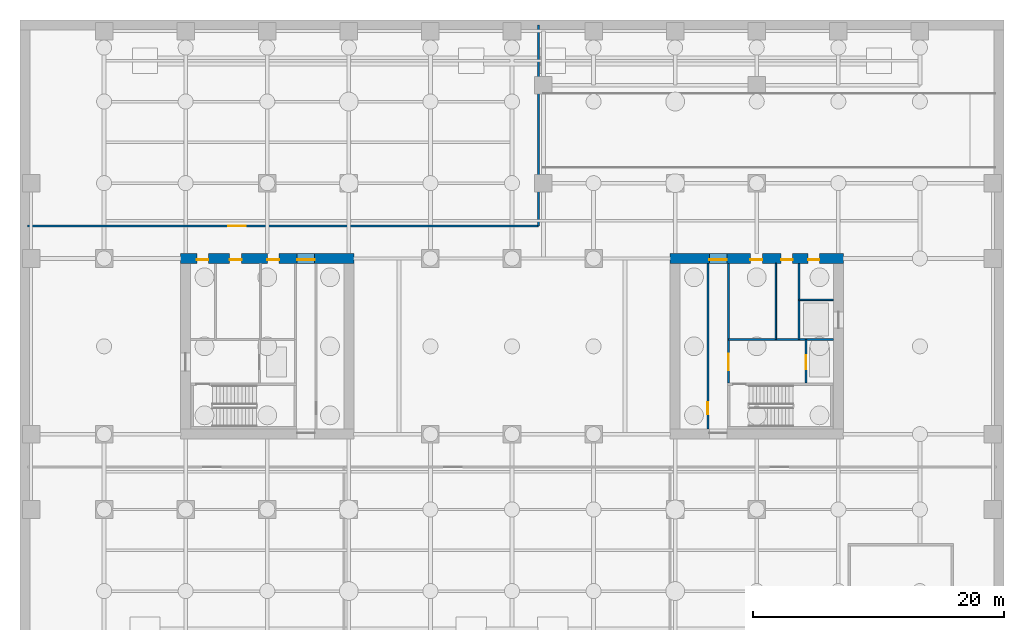
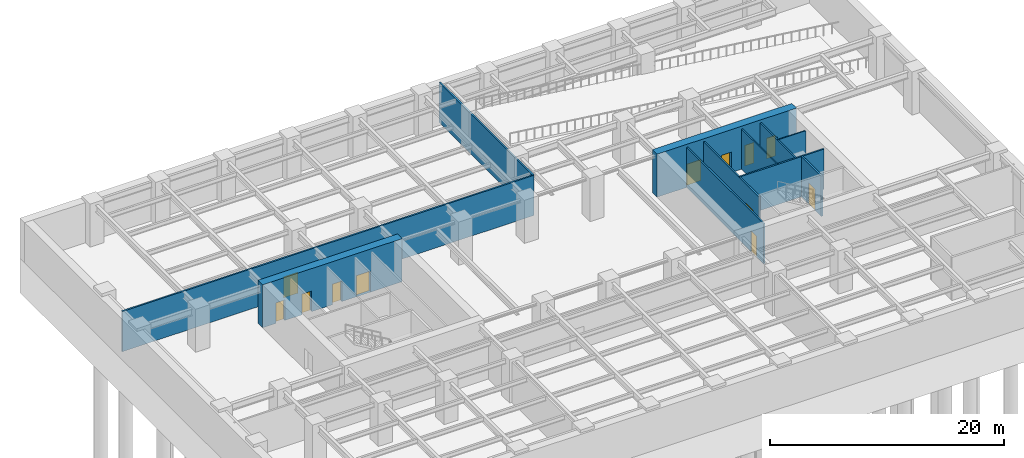
# One storey, part 6 of 11: 12 doors, 11 walls, 12 openings.
"""IFC4 building model written with IfcOpenShell, lengths in metres."""

from ifc_helpers import new_model, si_unit, direction, frame, frame_2d, origin, place, context, subcontext, project, spatial, rectangle, extrude, material, layer, layer_set, type_object, element, fill, save


model = new_model("IFC4")

# Units and contexts
model_context = context("Model", 3, precision=1e-05, world=origin(), true_north=direction((0.0, 1.0)))
body_context = subcontext(model_context, "Body", "Model", "MODEL_VIEW")
ifc_project = project(units=[si_unit("LENGTHUNIT", "METRE"), si_unit("AREAUNIT", "SQUARE_METRE"), si_unit("VOLUMEUNIT", "CUBIC_METRE"), si_unit("PLANEANGLEUNIT", "RADIAN"), si_unit("MASSUNIT", "GRAM", prefix="KILO")], contexts=[model_context])

# Site, building, storey
site_placement = place(None, origin())
site = spatial("IfcSite", under=ifc_project, at=site_placement, CompositionType="ELEMENT")
building_placement = place(site_placement, origin())
building = spatial("IfcBuilding", under=site, at=building_placement, Name="Putna Gate Headquarters", CompositionType="ELEMENT")
storey_placement = place(building_placement, frame((0.0, 0.0, -13.5)))
storey = spatial("IfcBuildingStorey", under=building, at=storey_placement, Name="B03", CompositionType="ELEMENT", Elevation=-13.5)

# Wall, openings, doors
ifc_material_1 = material(Name="Concrete C60/75", Category="concrete")
ifc_layer_1 = layer(ifc_material_1, 0.800048828125)
ifc_layer_set_1 = layer_set([ifc_layer_1], Name="Concrete C60/75")
wall_type_1 = type_object("IfcWallType", Name="WALL-CORE-800", PredefinedType="SHEAR", material=ifc_layer_set_1)
wall_1_placement = place(storey_placement, frame((12.60009765625, 33.0, 0.0), z_axis=(0.0, 0.0, 1.0), x_axis=(1.0, 0.0, 0.0)))
wall_1 = element("IfcWall", 1, at=wall_1_placement, inside=storey, type_object=wall_type_1, Name="B03 WC Split Core Shear Wall N", PredefinedType="SHEAR", context=body_context, shape_type="SweptSolid", body=[
    extrude(rectangle(XDim=13.7998046875, YDim=0.800048828125, at=frame_2d((6.89990234375, 0.0))), origin(), (0.0, 0.0, 1.0), 4.5),
])
opening_1_placement = place(wall_1_placement, frame((1.300048828125, 0.0, 0.0)))
opening_1 = element("IfcOpeningElement", 2, at=opening_1_placement, cuts=wall_1, Name="Opening RD-90", PredefinedType="OPENING", context=body_context, shape_type="SweptSolid", body=[
    extrude(rectangle(XDim=0.89990234375, YDim=2.14990234375, at=frame_2d((0.449951171875, 1.074951171875))), frame((0.0, 0.409912109375, 0.0), z_axis=(0.0, -1.0, 0.0), x_axis=(1.0, 0.0, 0.0)), (0.0, 0.0, 1.0), 0.820068359375),
])
opening_2_placement = place(wall_1_placement, frame((3.89990234375, 0.0, 0.0)))
opening_2 = element("IfcOpeningElement", 3, at=opening_2_placement, cuts=wall_1, Name="Opening IDS-95", PredefinedType="OPENING", context=body_context, shape_type="SweptSolid", body=[
    extrude(rectangle(XDim=0.949951171875, YDim=2.14990234375, at=frame_2d((0.47509765625, 1.074951171875))), frame((0.0, 0.409912109375, 0.0), z_axis=(0.0, -1.0, 0.0), x_axis=(1.0, 0.0, 0.0)), (0.0, 0.0, 1.0), 0.820068359375),
])
opening_3_placement = place(wall_1_placement, frame((6.89990234375, 0.0, 0.0)))
opening_3 = element("IfcOpeningElement", 4, at=opening_3_placement, cuts=wall_1, Name="Opening IDS-95", PredefinedType="OPENING", context=body_context, shape_type="SweptSolid", body=[
    extrude(rectangle(XDim=0.949951171875, YDim=2.14990234375, at=frame_2d((0.47509765625, 1.074951171875))), frame((0.0, 0.409912109375, 0.0), z_axis=(0.0, -1.0, 0.0), x_axis=(1.0, 0.0, 0.0)), (0.0, 0.0, 1.0), 0.820068359375),
])
opening_4_placement = place(wall_1_placement, frame((9.280029296875, 0.0, 0.0)))
opening_4 = element("IfcOpeningElement", 5, at=opening_4_placement, cuts=wall_1, Name="Opening FDD-140", PredefinedType="OPENING", context=body_context, shape_type="SweptSolid", body=[
    extrude(rectangle(XDim=1.39990234375, YDim=2.199951171875, at=frame_2d((0.699951171875, 1.10009765625))), frame((0.0, 0.409912109375, 0.0), z_axis=(0.0, -1.0, 0.0), x_axis=(1.0, 0.0, 0.0)), (0.0, 0.0, 1.0), 0.820068359375),
])
ifc_material_2 = material(Name="Double steel fire door", Category="steel")
door_type_1 = type_object("IfcDoorType", Name="DOOR-FIRE-DBL-1400", OperationType="DOUBLE_DOOR_SINGLE_SWING", PredefinedType="DOOR", material=ifc_material_2)
door_1_placement = place(opening_4_placement, origin())
door_1 = element("IfcDoor", 6, at=door_1_placement, inside=storey, type_object=door_type_1, Name="B03 West Lift Lobby North Door", OperationType="DOUBLE_DOOR_SINGLE_SWING", OverallHeight=2.199951171875, OverallWidth=1.39990234375, PredefinedType="DOOR", context=body_context, shape_type="SweptSolid", body=[
    extrude(rectangle(XDim=1.39990234375, YDim=2.199951171875, at=frame_2d((0.699951171875, 1.10009765625))), frame((0.0, -0.0751953125, 0.0), z_axis=(0.0, -1.0, 0.0), x_axis=(1.0, 0.0, 0.0)), (0.0, 0.0, 1.0), 0.050048828125),
])
fill(opening_4, door_1)
ifc_material_3 = material(Name="Fire-rated service timber door", Category="wood")
door_type_2 = type_object("IfcDoorType", Name="DOOR-INT-950", OperationType="NOTDEFINED", PredefinedType="DOOR", material=ifc_material_3)
door_2_placement = place(opening_2_placement, origin())
door_2 = element("IfcDoor", 7, at=door_2_placement, inside=storey, type_object=door_type_2, Name="B03 Cleaner Store Door", OperationType="SINGLE_SWING_LEFT", OverallHeight=2.14990234375, OverallWidth=0.949951171875, PredefinedType="DOOR", context=body_context, shape_type="SweptSolid", body=[
    extrude(rectangle(XDim=0.949951171875, YDim=2.14990234375, at=frame_2d((0.47509765625, 1.074951171875))), frame((0.0, -0.0751953125, 0.0), z_axis=(0.0, -1.0, 0.0), x_axis=(1.0, 0.0, 0.0)), (0.0, 0.0, 1.0), 0.050048828125),
])
fill(opening_2, door_2)
door_3_placement = place(opening_3_placement, origin())
door_3 = element("IfcDoor", 8, at=door_3_placement, inside=storey, type_object=door_type_2, Name="B03 Comms Plant Door", OperationType="SINGLE_SWING_RIGHT", OverallHeight=2.14990234375, OverallWidth=0.949951171875, PredefinedType="DOOR", context=body_context, shape_type="SweptSolid", body=[
    extrude(rectangle(XDim=0.949951171875, YDim=2.14990234375, at=frame_2d((0.47509765625, 1.074951171875))), frame((0.0, -0.0751953125, 0.0), z_axis=(0.0, -1.0, 0.0), x_axis=(1.0, 0.0, 0.0)), (0.0, 0.0, 1.0), 0.050048828125),
])
fill(opening_3, door_3)
ifc_material_4 = material(Name="Steel riser access fire door", Category="steel")
door_type_3 = type_object("IfcDoorType", Name="DOOR-RISER-900", OperationType="NOTDEFINED", PredefinedType="DOOR", material=ifc_material_4)
door_4_placement = place(opening_1_placement, origin())
door_4 = element("IfcDoor", 9, at=door_4_placement, inside=storey, type_object=door_type_3, Name="B03 West Riser Access Door", OperationType="SINGLE_SWING_RIGHT", OverallHeight=2.14990234375, OverallWidth=0.89990234375, PredefinedType="DOOR", context=body_context, shape_type="SweptSolid", body=[
    extrude(rectangle(XDim=0.89990234375, YDim=2.14990234375, at=frame_2d((0.449951171875, 1.074951171875))), frame((0.0, -0.0751953125, 0.0), z_axis=(0.0, -1.0, 0.0), x_axis=(1.0, 0.0, 0.0)), (0.0, 0.0, 1.0), 0.050048828125),
])
fill(opening_1, door_4)

wall_2_placement = place(storey_placement, frame((51.60009765625, 33.0, 0.0), z_axis=(0.0, 0.0, 1.0), x_axis=(1.0, 0.0, 0.0)))
wall_2 = element("IfcWall", 10, at=wall_2_placement, inside=storey, type_object=wall_type_1, Name="B03 EC Split Core Shear Wall N", PredefinedType="SHEAR", context=body_context, shape_type="SweptSolid", body=[
    extrude(rectangle(XDim=13.7998046875, YDim=0.800048828125, at=frame_2d((6.89990234375, 0.0))), origin(), (0.0, 0.0, 1.0), 4.5),
])
opening_5_placement = place(wall_2_placement, frame((3.1201171875, 0.0, 0.0)))
opening_5 = element("IfcOpeningElement", 11, at=opening_5_placement, cuts=wall_2, Name="Opening FDD-140", PredefinedType="OPENING", context=body_context, shape_type="SweptSolid", body=[
    extrude(rectangle(XDim=1.39990234375, YDim=2.199951171875, at=frame_2d((0.699951171875, 1.10009765625))), frame((0.0, 0.409912109375, 0.0), z_axis=(0.0, -1.0, 0.0), x_axis=(1.0, 0.0, 0.0)), (0.0, 0.0, 1.0), 0.820068359375),
])
opening_6_placement = place(wall_2_placement, frame((11.0, 0.0, 0.0)))
opening_6 = element("IfcOpeningElement", 12, at=opening_6_placement, cuts=wall_2, Name="Opening RD-90", PredefinedType="OPENING", context=body_context, shape_type="SweptSolid", body=[
    extrude(rectangle(XDim=0.89990234375, YDim=2.14990234375, at=frame_2d((0.449951171875, 1.074951171875))), frame((0.0, 0.409912109375, 0.0), z_axis=(0.0, -1.0, 0.0), x_axis=(1.0, 0.0, 0.0)), (0.0, 0.0, 1.0), 0.820068359375),
])
opening_7_placement = place(wall_2_placement, frame((6.39990234375, 0.0, 0.0)))
opening_7 = element("IfcOpeningElement", 13, at=opening_7_placement, cuts=wall_2, Name="Opening IDS-95", PredefinedType="OPENING", context=body_context, shape_type="SweptSolid", body=[
    extrude(rectangle(XDim=0.949951171875, YDim=2.14990234375, at=frame_2d((0.47509765625, 1.074951171875))), frame((0.0, 0.409912109375, 0.0), z_axis=(0.0, -1.0, 0.0), x_axis=(1.0, 0.0, 0.0)), (0.0, 0.0, 1.0), 0.820068359375),
])
opening_8_placement = place(wall_2_placement, frame((8.85009765625, 0.0, 0.0)))
opening_8 = element("IfcOpeningElement", 14, at=opening_8_placement, cuts=wall_2, Name="Opening IDS-90", PredefinedType="OPENING", context=body_context, shape_type="SweptSolid", body=[
    extrude(rectangle(XDim=0.89990234375, YDim=2.14990234375, at=frame_2d((0.449951171875, 1.074951171875))), frame((0.0, 0.409912109375, 0.0), z_axis=(0.0, -1.0, 0.0), x_axis=(1.0, 0.0, 0.0)), (0.0, 0.0, 1.0), 0.820068359375),
])
door_5_placement = place(opening_5_placement, origin())
door_5 = element("IfcDoor", 15, at=door_5_placement, inside=storey, type_object=door_type_1, Name="B03 East Lift Lobby North Door", OperationType="DOUBLE_DOOR_SINGLE_SWING", OverallHeight=2.199951171875, OverallWidth=1.39990234375, PredefinedType="DOOR", context=body_context, shape_type="SweptSolid", body=[
    extrude(rectangle(XDim=1.39990234375, YDim=2.199951171875, at=frame_2d((0.699951171875, 1.10009765625))), frame((0.0, -0.0751953125, 0.0), z_axis=(0.0, -1.0, 0.0), x_axis=(1.0, 0.0, 0.0)), (0.0, 0.0, 1.0), 0.050048828125),
])
fill(opening_5, door_5)
ifc_material_5 = material(Name="Fire-rated utility door")
door_type_4 = type_object("IfcDoorType", Name="DOOR-INT-900", OperationType="NOTDEFINED", PredefinedType="DOOR", material=ifc_material_5)
door_6_placement = place(opening_8_placement, origin())
door_6 = element("IfcDoor", 16, at=door_6_placement, inside=storey, type_object=door_type_4, Name="B03 Electrical Plant Door", OperationType="SINGLE_SWING_LEFT", OverallHeight=2.14990234375, OverallWidth=0.89990234375, PredefinedType="DOOR", context=body_context, shape_type="SweptSolid", body=[
    extrude(rectangle(XDim=0.89990234375, YDim=2.14990234375, at=frame_2d((0.449951171875, 1.074951171875))), frame((0.0, -0.0751953125, 0.0), z_axis=(0.0, -1.0, 0.0), x_axis=(1.0, 0.0, 0.0)), (0.0, 0.0, 1.0), 0.050048828125),
])
fill(opening_8, door_6)
door_7_placement = place(opening_7_placement, origin())
door_7 = element("IfcDoor", 17, at=door_7_placement, inside=storey, type_object=door_type_2, Name="B03 East Store Door", OperationType="SINGLE_SWING_RIGHT", OverallHeight=2.14990234375, OverallWidth=0.949951171875, PredefinedType="DOOR", context=body_context, shape_type="SweptSolid", body=[
    extrude(rectangle(XDim=0.949951171875, YDim=2.14990234375, at=frame_2d((0.47509765625, 1.074951171875))), frame((0.0, -0.0751953125, 0.0), z_axis=(0.0, -1.0, 0.0), x_axis=(1.0, 0.0, 0.0)), (0.0, 0.0, 1.0), 0.050048828125),
])
fill(opening_7, door_7)
door_8_placement = place(opening_6_placement, origin())
door_8 = element("IfcDoor", 18, at=door_8_placement, inside=storey, type_object=door_type_3, Name="B03 East Riser Access Door", OperationType="SINGLE_SWING_LEFT", OverallHeight=2.14990234375, OverallWidth=0.89990234375, PredefinedType="DOOR", context=body_context, shape_type="SweptSolid", body=[
    extrude(rectangle(XDim=0.89990234375, YDim=2.14990234375, at=frame_2d((0.449951171875, 1.074951171875))), frame((0.0, -0.0751953125, 0.0), z_axis=(0.0, -1.0, 0.0), x_axis=(1.0, 0.0, 0.0)), (0.0, 0.0, 1.0), 0.050048828125),
])
fill(opening_6, door_8)

# Walls
ifc_material_6 = material(Name="Fire-rated shaftwall gypsum board on metal stud")
ifc_layer_2 = layer(ifc_material_6, 0.1201171875)
ifc_layer_set_2 = layer_set([ifc_layer_2], Name="Fire-rated shaftwall gypsum board on metal stud")
wall_type_2 = type_object("IfcWallType", Name="WALL-PART-120-EI120", PredefinedType="PARTITIONING", material=ifc_layer_set_2)
wall_3_placement = place(storey_placement, frame((61.8701171875, 29.699951171875, 0.0), z_axis=(0.0, 0.0, 1.0), x_axis=(1.0, 0.0, 0.0)))
element("IfcWall", 19, at=wall_3_placement, inside=storey, type_object=wall_type_2, Name="B03 Interior Wall CWINT-B03-EC-LF15-N", PredefinedType="PARTITIONING", context=body_context, shape_type="SweptSolid", body=[
    extrude(rectangle(XDim=2.72998046875, YDim=0.1201171875, at=frame_2d((1.364990234375, 0.0))), origin(), (0.0, 0.0, 1.0), 4.199951171875),
])
ifc_material_7 = material(Name="Fire-rated gypsum board on metal stud")
ifc_layer_3 = layer(ifc_material_7, 0.1201171875)
ifc_layer_set_3 = layer_set([ifc_layer_3], Name="Fire-rated gypsum board on metal stud")
wall_type_3 = type_object("IfcWallType", Name="WALL-PART-120-RATED", PredefinedType="PARTITIONING", material=ifc_layer_set_3)
wall_4_placement = place(storey_placement, frame((60.02001953125, 26.56005859375, 0.0), z_axis=(0.0, 0.0, 1.0), x_axis=(0.0, 1.0, 0.0)))
element("IfcWall", 20, at=wall_4_placement, inside=storey, type_object=wall_type_3, Name="B03 Interior Wall CWINT-B03-EC-K0-DIV", PredefinedType="PARTITIONING", context=body_context, shape_type="SweptSolid", body=[
    extrude(rectangle(XDim=6.0400390625, YDim=0.1201171875, at=frame_2d((3.02001953125, 0.0))), origin(), (0.0, 0.0, 1.0), 4.199951171875),
])

# Wall, opening, door
ifc_material_8 = material(Name="Concrete C40/50", Category="concrete")
ifc_layer_4 = layer(ifc_material_8, 0.159912109375)
ifc_layer_set_4 = layer_set([ifc_layer_4], Name="Concrete C40/50")
wall_type_4 = type_object("IfcWallType", Name="WALL-SHAFT-160", PredefinedType="STANDARD", material=ifc_layer_set_4)
wall_5_placement = place(storey_placement, frame((54.60009765625, 19.39990234375, 0.0), z_axis=(0.0, 0.0, 1.0), x_axis=(0.0, 1.0, 0.0)))
wall_5 = element("IfcWall", 21, at=wall_5_placement, inside=storey, type_object=wall_type_4, Name="B03 Interior Wall CWINT-B03-EC-PL-WALL", PredefinedType="STANDARD", context=body_context, shape_type="SweptSolid", body=[
    extrude(rectangle(XDim=13.2001953125, YDim=0.159912109375, at=frame_2d((6.60009765625, 0.0))), origin(), (0.0, 0.0, 1.0), 4.199951171875),
])
opening_9_placement = place(wall_5_placement, frame((1.199951171875, 0.0, 0.0)))
opening_9 = element("IfcOpeningElement", 22, at=opening_9_placement, cuts=wall_5, Name="Opening IDS-95F", PredefinedType="OPENING", context=body_context, shape_type="SweptSolid", body=[
    extrude(rectangle(XDim=0.949951171875, YDim=2.14990234375, at=frame_2d((0.47509765625, 1.074951171875))), frame((0.0, 0.08984375, 0.0), z_axis=(0.0, -1.0, 0.0), x_axis=(1.0, 0.0, 0.0)), (0.0, 0.0, 1.0), 0.179931640625),
])
ifc_material_9 = material(Name="Steel-faced fire door", Category="steel")
door_type_5 = type_object("IfcDoorType", Name="DOOR-INT-950-EI90", OperationType="NOTDEFINED", PredefinedType="DOOR", material=ifc_material_9)
door_9_placement = place(opening_9_placement, origin())
door_9 = element("IfcDoor", 23, at=door_9_placement, inside=storey, type_object=door_type_5, Name="B03 Substructure Equipment East Door", OperationType="SINGLE_SWING_LEFT", OverallHeight=2.14990234375, OverallWidth=0.949951171875, PredefinedType="DOOR", context=body_context, shape_type="SweptSolid", body=[
    extrude(rectangle(XDim=0.949951171875, YDim=2.14990234375, at=frame_2d((0.47509765625, 1.074951171875))), frame((0.0, 0.02490234375, 0.0), z_axis=(0.0, -1.0, 0.0), x_axis=(1.0, 0.0, 0.0)), (0.0, 0.0, 1.0), 0.050048828125),
])
fill(opening_9, door_9)

wall_6_placement = place(storey_placement, frame((56.260009765625, 23.090087890625, 0.0), z_axis=(0.0, 0.0, 1.0), x_axis=(0.0, 1.0, 0.0)))
wall_6 = element("IfcWall", 24, at=wall_6_placement, inside=storey, type_object=wall_type_4, Name="B03 Interior Wall CWINT-B03-EC-LOB-E", PredefinedType="STANDARD", context=body_context, shape_type="SweptSolid", body=[
    extrude(rectangle(XDim=9.510009765625, YDim=0.159912109375, at=frame_2d((4.7548828125, 0.0))), origin(), (0.0, 0.0, 1.0), 4.199951171875),
])
opening_10_placement = place(wall_6_placement, frame((1.010009765625, 0.0, 0.0)))
opening_10 = element("IfcOpeningElement", 25, at=opening_10_placement, cuts=wall_6, Name="Opening FDD-130", PredefinedType="OPENING", context=body_context, shape_type="SweptSolid", body=[
    extrude(rectangle(XDim=1.300048828125, YDim=2.199951171875, at=frame_2d((0.64990234375, 1.10009765625))), frame((0.0, 0.08984375, 0.0), z_axis=(0.0, -1.0, 0.0), x_axis=(1.0, 0.0, 0.0)), (0.0, 0.0, 1.0), 0.179931640625),
])
ifc_material_10 = material(Name="Double steel lobby fire door", Category="steel")
door_type_6 = type_object("IfcDoorType", Name="DOOR-FIRE-DBL-1300", OperationType="DOUBLE_DOOR_SINGLE_SWING", PredefinedType="DOOR", material=ifc_material_10)
door_10_placement = place(opening_10_placement, origin())
door_10 = element("IfcDoor", 26, at=door_10_placement, inside=storey, type_object=door_type_6, Name="B03 East Firefighting Lobby Door", OperationType="DOUBLE_DOOR_SINGLE_SWING", OverallHeight=2.199951171875, OverallWidth=1.300048828125, PredefinedType="DOOR", context=body_context, shape_type="SweptSolid", body=[
    extrude(rectangle(XDim=1.300048828125, YDim=2.199951171875, at=frame_2d((0.64990234375, 1.10009765625))), frame((0.0, 0.02490234375, 0.0), z_axis=(0.0, -1.0, 0.0), x_axis=(1.0, 0.0, 0.0)), (0.0, 0.0, 1.0), 0.050048828125),
])
fill(opening_10, door_10)

wall_7_placement = place(storey_placement, frame((62.429931640625, 23.090087890625, 0.0), z_axis=(0.0, 0.0, 1.0), x_axis=(0.0, 1.0, 0.0)))
wall_7 = element("IfcWall", 27, at=wall_7_placement, inside=storey, type_object=wall_type_4, Name="B03 Interior Wall CWINT-B03-EC-LF14-W", PredefinedType="STANDARD", context=body_context, shape_type="SweptSolid", body=[
    extrude(rectangle(XDim=3.469970703125, YDim=0.159912109375, at=frame_2d((1.73486328125, 0.0))), origin(), (0.0, 0.0, 1.0), 4.199951171875),
])
opening_11_placement = place(wall_7_placement, frame((1.10009765625, 0.0, 0.0)))
opening_11 = element("IfcOpeningElement", 28, at=opening_11_placement, cuts=wall_7, Name="Opening LD-1", PredefinedType="OPENING", context=body_context, shape_type="SweptSolid", body=[
    extrude(rectangle(XDim=1.10009765625, YDim=2.199951171875, at=frame_2d((0.550048828125, 1.10009765625))), frame((0.0, 0.08984375, 0.0), z_axis=(0.0, -1.0, 0.0), x_axis=(1.0, 0.0, 0.0)), (0.0, 0.0, 1.0), 0.179931640625),
])
ifc_material_11 = material(Name="Brushed bronze stainless lift landing door")
door_type_7 = type_object("IfcDoorType", Name="DOOR-LIFT-1100", OperationType="DOUBLE_DOOR_SLIDING", PredefinedType="DOOR", material=ifc_material_11)
door_11_placement = place(opening_11_placement, origin())
door_11 = element("IfcDoor", 29, at=door_11_placement, inside=storey, type_object=door_type_7, Name="B03 Lift Landing Door LD-14", OperationType="DOUBLE_DOOR_SLIDING", OverallHeight=2.199951171875, OverallWidth=1.10009765625, PredefinedType="DOOR", context=body_context, shape_type="SweptSolid", body=[
    extrude(rectangle(XDim=1.10009765625, YDim=2.199951171875, at=frame_2d((0.550048828125, 1.10009765625))), frame((0.0, 0.02490234375, 0.0), z_axis=(0.0, -1.0, 0.0), x_axis=(1.0, 0.0, 0.0)), (0.0, 0.0, 1.0), 0.050048828125),
])
fill(opening_11, door_11)

# Walls
wall_8_placement = place(storey_placement, frame((56.260009765625, 26.56005859375, 0.0), z_axis=(0.0, 0.0, 1.0), x_axis=(1.0, 0.0, 0.0)))
element("IfcWall", 30, at=wall_8_placement, inside=storey, type_object=wall_type_4, Name="B03 Interior Wall CWINT-B03-EC-FFL-N", PredefinedType="STANDARD", context=body_context, shape_type="SweptSolid", body=[
    extrude(rectangle(XDim=8.340087890625, YDim=0.159912109375, at=frame_2d((4.169921875, 0.0))), origin(), (0.0, 0.0, 1.0), 4.199951171875),
])
wall_9_placement = place(storey_placement, frame((61.8701171875, 26.56005859375, 0.0), z_axis=(0.0, 0.0, 1.0), x_axis=(0.0, 1.0, 0.0)))
element("IfcWall", 31, at=wall_9_placement, inside=storey, type_object=wall_type_4, Name="B03 Interior Wall CWINT-B03-EC-LF15-W", PredefinedType="STANDARD", context=body_context, shape_type="SweptSolid", body=[
    extrude(rectangle(XDim=6.0400390625, YDim=0.159912109375, at=frame_2d((3.02001953125, 0.0))), origin(), (0.0, 0.0, 1.0), 4.199951171875),
])
wall_10_placement = place(storey_placement, frame((41.10009765625, 35.60009765625, 0.0), z_axis=(0.0, 0.0, 1.0), x_axis=(0.0, 1.0, 0.0)))
element("IfcWall", 32, at=wall_10_placement, inside=storey, type_object=wall_type_4, Name="B03 Interior Wall PART-B03-DIVN", PredefinedType="STANDARD", context=body_context, shape_type="SweptSolid", body=[
    extrude(rectangle(XDim=16.0, YDim=0.159912109375, at=frame_2d((8.0, 0.0))), origin(), (0.0, 0.0, 1.0), 4.199951171875),
])

# Wall, opening, door
wall_11_placement = place(storey_placement, frame((0.39990234375, 35.60009765625, 0.0), z_axis=(0.0, 0.0, 1.0), x_axis=(1.0, 0.0, 0.0)))
wall_11 = element("IfcWall", 33, at=wall_11_placement, inside=storey, type_object=wall_type_4, Name="B03 Interior Wall PART-B03-GEO", PredefinedType="STANDARD", context=body_context, shape_type="SweptSolid", body=[
    extrude(rectangle(XDim=40.7001953125, YDim=0.159912109375, at=frame_2d((20.35009765625, 0.0))), origin(), (0.0, 0.0, 1.0), 4.199951171875),
])
opening_12_placement = place(wall_11_placement, frame((16.0, 0.0, 0.0)))
opening_12 = element("IfcOpeningElement", 34, at=opening_12_placement, cuts=wall_11, Name="Opening FDD-140", PredefinedType="OPENING", context=body_context, shape_type="SweptSolid", body=[
    extrude(rectangle(XDim=1.39990234375, YDim=2.199951171875, at=frame_2d((0.699951171875, 1.10009765625))), frame((0.0, 0.08984375, 0.0), z_axis=(0.0, -1.0, 0.0), x_axis=(1.0, 0.0, 0.0)), (0.0, 0.0, 1.0), 0.179931640625),
])
door_12_placement = place(opening_12_placement, origin())
door_12 = element("IfcDoor", 35, at=door_12_placement, inside=storey, type_object=door_type_1, Name="B03 Geothermal Plant Door", OperationType="DOUBLE_DOOR_SINGLE_SWING", OverallHeight=2.199951171875, OverallWidth=1.39990234375, PredefinedType="DOOR", context=body_context, shape_type="SweptSolid", body=[
    extrude(rectangle(XDim=1.39990234375, YDim=2.199951171875, at=frame_2d((0.699951171875, 1.10009765625))), frame((0.0, 0.02490234375, 0.0), z_axis=(0.0, -1.0, 0.0), x_axis=(1.0, 0.0, 0.0)), (0.0, 0.0, 1.0), 0.050048828125),
])
fill(opening_12, door_12)

save(model, "model.ifc")
